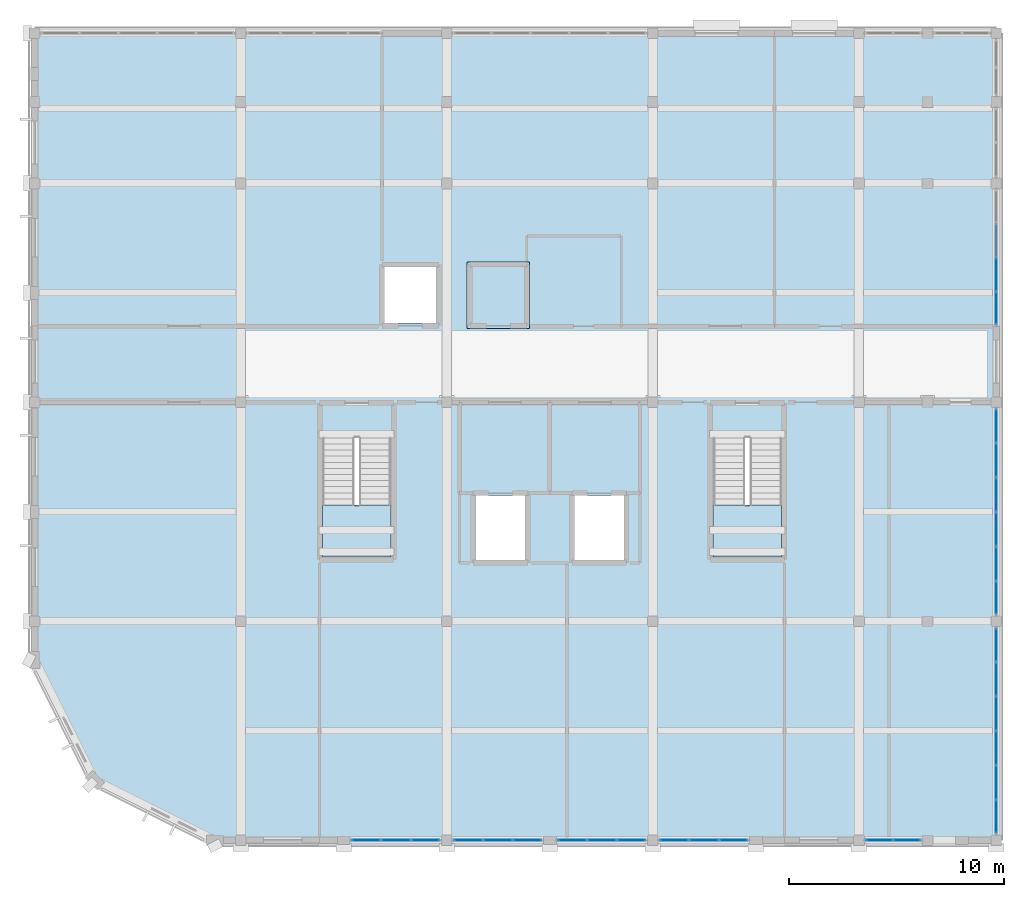
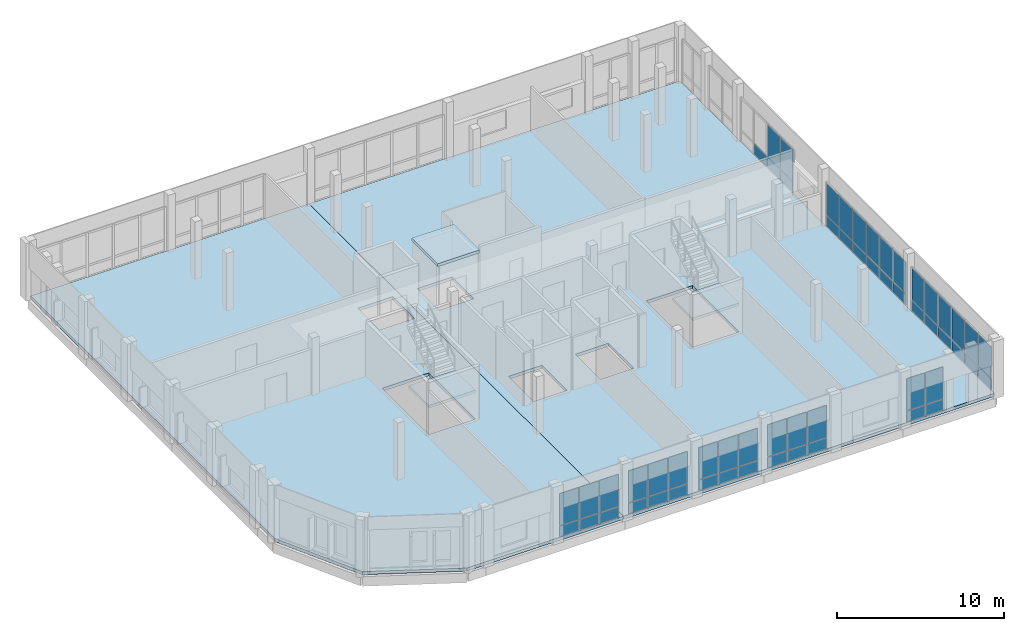
# One storey, part 19 of 29: 57 plates, 5 slabs, 10 elements without a shape of their own.
"""IFC4 building model written with IfcOpenShell, lengths in metres."""

from ifc_helpers import new_model, si_unit, direction, frame, origin, origin_2d, place, context, subcontext, project, spatial, polyline, rectangle, outline, extrude, material, layer, layer_set, type_object, element, aggregate, save


model = new_model("IFC4")

# Units and contexts
model_context = context("Model", 3, precision=1e-05, world=origin(), true_north=direction((0.0, 1.0)))
body_context = subcontext(model_context, "Body", "Model", "MODEL_VIEW")
ifc_project = project(units=[si_unit("LENGTHUNIT", "METRE"), si_unit("AREAUNIT", "SQUARE_METRE"), si_unit("VOLUMEUNIT", "CUBIC_METRE"), si_unit("PLANEANGLEUNIT", "RADIAN"), si_unit("MASSUNIT", "GRAM", prefix="KILO")], contexts=[model_context])

# Site, building, storey
site_placement = place(None, origin())
site = spatial("IfcSite", under=ifc_project, at=site_placement, CompositionType="ELEMENT")
building_placement = place(site_placement, origin())
building = spatial("IfcBuilding", under=site, at=building_placement, Name="Vondelvale Polytechnic", CompositionType="ELEMENT")
storey_placement = place(building_placement, frame((0.0, 0.0, 26.39990234375)))
storey = spatial("IfcBuildingStorey", under=building, at=storey_placement, Name="L06", CompositionType="ELEMENT", Elevation=26.39990234375)

# Curtain wall, plates
ifc_material_1 = material(Name="Anodised extruded aluminium 6063-T6", Category="aluminium")
curtain_wall_type_1 = type_object("IfcCurtainWallType", Name="CW-LIBRARY-BAY", PredefinedType="NOTDEFINED", material=ifc_material_1)
curtain_wall_1_placement = place(storey_placement, origin())
curtain_wall_1 = element("IfcCurtainWall", 1, at=curtain_wall_1_placement, inside=storey, type_object=curtain_wall_type_1, Name="L06 architectural curtain wall CW-02-043", PredefinedType="NOTDEFINED")
ifc_material_2 = material(Name="Double-glazed low-E insulated architectural glass", Category="glass")
ifc_layer_1 = layer(ifc_material_2, 0.028076171875)
ifc_layer_set_1 = layer_set([ifc_layer_1], Name="CW-PANEL-GLAZED")
plate_type_1 = type_object("IfcPlateType", Name="CW-PANEL-GLAZED", PredefinedType="CURTAIN_PANEL", material=ifc_layer_set_1)
plate_1_placement = place(storey_placement, frame((15.444580078125, 0.0, 0.880126953125), z_axis=(0.0, 0.0, 1.0), x_axis=(1.0, 0.0, 0.0)))
plate_1 = element("IfcPlate", 2, at=plate_1_placement, type_object=plate_type_1, Name="CW-02-043 panel 1.2", PredefinedType="CURTAIN_PANEL", context=body_context, shape_type="SweptSolid", body=[
    extrude(rectangle(XDim=1.299072265625, YDim=0.028076171875, at=origin_2d()), origin(), (0.0, 0.0, 1.0), 2.31005859375),
])
plate_2_placement = place(storey_placement, frame((16.824951171875, 0.0, 0.880126953125), z_axis=(0.0, 0.0, 1.0), x_axis=(1.0, 0.0, 0.0)))
plate_2 = element("IfcPlate", 3, at=plate_2_placement, type_object=plate_type_1, Name="CW-02-043 panel 2.2", PredefinedType="CURTAIN_PANEL", context=body_context, shape_type="SweptSolid", body=[
    extrude(rectangle(XDim=1.331787109375, YDim=0.028076171875, at=origin_2d()), origin(), (0.0, 0.0, 1.0), 2.31005859375),
])
plate_3_placement = place(storey_placement, frame((18.205322265625, 0.0, 0.880126953125), z_axis=(0.0, 0.0, 1.0), x_axis=(1.0, 0.0, 0.0)))
plate_3 = element("IfcPlate", 4, at=plate_3_placement, type_object=plate_type_1, Name="CW-02-043 panel 3.2", PredefinedType="CURTAIN_PANEL", context=body_context, shape_type="SweptSolid", body=[
    extrude(rectangle(XDim=1.299072265625, YDim=0.028076171875, at=origin_2d()), origin(), (0.0, 0.0, 1.0), 2.31005859375),
])

curtain_wall_2_placement = place(storey_placement, origin())
curtain_wall_2 = element("IfcCurtainWall", 5, at=curtain_wall_2_placement, inside=storey, type_object=curtain_wall_type_1, Name="L06 architectural curtain wall CW-02-044", PredefinedType="NOTDEFINED")
plate_4_placement = place(storey_placement, frame((20.194580078125, 0.0, 0.880126953125), z_axis=(0.0, 0.0, 1.0), x_axis=(1.0, 0.0, 0.0)))
plate_4 = element("IfcPlate", 6, at=plate_4_placement, type_object=plate_type_1, Name="CW-02-044 panel 1.2", PredefinedType="CURTAIN_PANEL", context=body_context, shape_type="SweptSolid", body=[
    extrude(rectangle(XDim=1.299072265625, YDim=0.028076171875, at=origin_2d()), origin(), (0.0, 0.0, 1.0), 2.31005859375),
])
plate_5_placement = place(storey_placement, frame((21.574951171875, 0.0, 0.880126953125), z_axis=(0.0, 0.0, 1.0), x_axis=(1.0, 0.0, 0.0)))
plate_5 = element("IfcPlate", 7, at=plate_5_placement, type_object=plate_type_1, Name="CW-02-044 panel 2.2", PredefinedType="CURTAIN_PANEL", context=body_context, shape_type="SweptSolid", body=[
    extrude(rectangle(XDim=1.331787109375, YDim=0.028076171875, at=origin_2d()), origin(), (0.0, 0.0, 1.0), 2.31005859375),
])
plate_6_placement = place(storey_placement, frame((22.955322265625, 0.0, 0.880126953125), z_axis=(0.0, 0.0, 1.0), x_axis=(1.0, 0.0, 0.0)))
plate_6 = element("IfcPlate", 8, at=plate_6_placement, type_object=plate_type_1, Name="CW-02-044 panel 3.2", PredefinedType="CURTAIN_PANEL", context=body_context, shape_type="SweptSolid", body=[
    extrude(rectangle(XDim=1.299072265625, YDim=0.028076171875, at=origin_2d()), origin(), (0.0, 0.0, 1.0), 2.31005859375),
])

curtain_wall_3_placement = place(storey_placement, origin())
curtain_wall_3 = element("IfcCurtainWall", 9, at=curtain_wall_3_placement, inside=storey, type_object=curtain_wall_type_1, Name="L06 architectural curtain wall CW-02-045", PredefinedType="NOTDEFINED")
plate_7_placement = place(storey_placement, frame((25.044677734375, 0.0, 0.880126953125), z_axis=(0.0, 0.0, 1.0), x_axis=(1.0, 0.0, 0.0)))
plate_7 = element("IfcPlate", 10, at=plate_7_placement, type_object=plate_type_1, Name="CW-02-045 panel 1.2", PredefinedType="CURTAIN_PANEL", context=body_context, shape_type="SweptSolid", body=[
    extrude(rectangle(XDim=1.299072265625, YDim=0.028076171875, at=origin_2d()), origin(), (0.0, 0.0, 1.0), 2.31005859375),
])
plate_8_placement = place(storey_placement, frame((26.425048828125, 0.0, 0.880126953125), z_axis=(0.0, 0.0, 1.0), x_axis=(1.0, 0.0, 0.0)))
plate_8 = element("IfcPlate", 11, at=plate_8_placement, type_object=plate_type_1, Name="CW-02-045 panel 2.2", PredefinedType="CURTAIN_PANEL", context=body_context, shape_type="SweptSolid", body=[
    extrude(rectangle(XDim=1.331787109375, YDim=0.028076171875, at=origin_2d()), origin(), (0.0, 0.0, 1.0), 2.31005859375),
])
plate_9_placement = place(storey_placement, frame((27.805419921875, 0.0, 0.880126953125), z_axis=(0.0, 0.0, 1.0), x_axis=(1.0, 0.0, 0.0)))
plate_9 = element("IfcPlate", 12, at=plate_9_placement, type_object=plate_type_1, Name="CW-02-045 panel 3.2", PredefinedType="CURTAIN_PANEL", context=body_context, shape_type="SweptSolid", body=[
    extrude(rectangle(XDim=1.299072265625, YDim=0.028076171875, at=origin_2d()), origin(), (0.0, 0.0, 1.0), 2.31005859375),
])

curtain_wall_4_placement = place(storey_placement, origin())
curtain_wall_4 = element("IfcCurtainWall", 13, at=curtain_wall_4_placement, inside=storey, type_object=curtain_wall_type_1, Name="L06 architectural curtain wall CW-02-046", PredefinedType="NOTDEFINED")
plate_10_placement = place(storey_placement, frame((29.794677734375, 0.0, 0.880126953125), z_axis=(0.0, 0.0, 1.0), x_axis=(1.0, 0.0, 0.0)))
plate_10 = element("IfcPlate", 14, at=plate_10_placement, type_object=plate_type_1, Name="CW-02-046 panel 1.2", PredefinedType="CURTAIN_PANEL", context=body_context, shape_type="SweptSolid", body=[
    extrude(rectangle(XDim=1.299072265625, YDim=0.028076171875, at=origin_2d()), origin(), (0.0, 0.0, 1.0), 2.31005859375),
])
plate_11_placement = place(storey_placement, frame((31.175048828125, 0.0, 0.880126953125), z_axis=(0.0, 0.0, 1.0), x_axis=(1.0, 0.0, 0.0)))
plate_11 = element("IfcPlate", 15, at=plate_11_placement, type_object=plate_type_1, Name="CW-02-046 panel 2.2", PredefinedType="CURTAIN_PANEL", context=body_context, shape_type="SweptSolid", body=[
    extrude(rectangle(XDim=1.331787109375, YDim=0.028076171875, at=origin_2d()), origin(), (0.0, 0.0, 1.0), 2.31005859375),
])
plate_12_placement = place(storey_placement, frame((32.555419921875, 0.0, 0.880126953125), z_axis=(0.0, 0.0, 1.0), x_axis=(1.0, 0.0, 0.0)))
plate_12 = element("IfcPlate", 16, at=plate_12_placement, type_object=plate_type_1, Name="CW-02-046 panel 3.2", PredefinedType="CURTAIN_PANEL", context=body_context, shape_type="SweptSolid", body=[
    extrude(rectangle(XDim=1.299072265625, YDim=0.028076171875, at=origin_2d()), origin(), (0.0, 0.0, 1.0), 2.31005859375),
])

curtain_wall_5_placement = place(storey_placement, origin())
curtain_wall_5 = element("IfcCurtainWall", 17, at=curtain_wall_5_placement, inside=storey, type_object=curtain_wall_type_1, Name="L06 architectural curtain wall CW-02-047", PredefinedType="NOTDEFINED")
plate_13_placement = place(storey_placement, frame((39.356201171875, 0.0, 0.880126953125), z_axis=(0.0, 0.0, 1.0), x_axis=(1.0, 0.0, 0.0)))
plate_13 = element("IfcPlate", 18, at=plate_13_placement, type_object=plate_type_1, Name="CW-02-047 panel 1.2", PredefinedType="CURTAIN_PANEL", context=body_context, shape_type="SweptSolid", body=[
    extrude(rectangle(XDim=1.222412109375, YDim=0.028076171875, at=origin_2d()), origin(), (0.0, 0.0, 1.0), 2.31005859375),
])
plate_14_placement = place(storey_placement, frame((40.643798828125, 0.0, 0.880126953125), z_axis=(0.0, 0.0, 1.0), x_axis=(1.0, 0.0, 0.0)))
plate_14 = element("IfcPlate", 19, at=plate_14_placement, type_object=plate_type_1, Name="CW-02-047 panel 2.2", PredefinedType="CURTAIN_PANEL", context=body_context, shape_type="SweptSolid", body=[
    extrude(rectangle(XDim=1.222412109375, YDim=0.028076171875, at=origin_2d()), origin(), (0.0, 0.0, 1.0), 2.31005859375),
])

curtain_wall_type_2 = type_object("IfcCurtainWallType", Name="CW-STUDIO-NORTH", PredefinedType="NOTDEFINED", material=ifc_material_1)
curtain_wall_6_placement = place(storey_placement, origin())
curtain_wall_6 = element("IfcCurtainWall", 20, at=curtain_wall_6_placement, inside=storey, type_object=curtain_wall_type_2, Name="L06 architectural curtain wall CW-01-048", PredefinedType="NOTDEFINED")
plate_15_placement = place(storey_placement, frame((44.800048828125, 1.099609375, 0.880126953125), z_axis=(0.0, 0.0, 1.0), x_axis=(0.0, 1.0, 0.0)))
plate_15 = element("IfcPlate", 21, at=plate_15_placement, type_object=plate_type_1, Name="CW-01-048 panel 1.2", PredefinedType="CURTAIN_PANEL", context=body_context, shape_type="SweptSolid", body=[
    extrude(rectangle(XDim=1.50927734375, YDim=0.028076171875, at=origin_2d()), origin(), (0.0, 0.0, 1.0), 2.31005859375),
])
plate_16_placement = place(storey_placement, frame((44.800048828125, 2.68994140625, 0.880126953125), z_axis=(0.0, 0.0, 1.0), x_axis=(0.0, 1.0, 0.0)))
plate_16 = element("IfcPlate", 22, at=plate_16_placement, type_object=plate_type_1, Name="CW-01-048 panel 2.2", PredefinedType="CURTAIN_PANEL", context=body_context, shape_type="SweptSolid", body=[
    extrude(rectangle(XDim=1.541748046875, YDim=0.028076171875, at=origin_2d()), origin(), (0.0, 0.0, 1.0), 2.31005859375),
])
plate_17_placement = place(storey_placement, frame((44.800048828125, 4.296630859375, 0.880126953125), z_axis=(0.0, 0.0, 1.0), x_axis=(0.0, 1.0, 0.0)))
plate_17 = element("IfcPlate", 23, at=plate_17_placement, type_object=plate_type_1, Name="CW-01-048 panel 3.2", PredefinedType="CURTAIN_PANEL", context=body_context, shape_type="SweptSolid", body=[
    extrude(rectangle(XDim=1.541748046875, YDim=0.028076171875, at=origin_2d()), origin(), (0.0, 0.0, 1.0), 2.31005859375),
])
plate_18_placement = place(storey_placement, frame((44.800048828125, 5.9033203125, 0.880126953125), z_axis=(0.0, 0.0, 1.0), x_axis=(0.0, 1.0, 0.0)))
plate_18 = element("IfcPlate", 24, at=plate_18_placement, type_object=plate_type_1, Name="CW-01-048 panel 4.2", PredefinedType="CURTAIN_PANEL", context=body_context, shape_type="SweptSolid", body=[
    extrude(rectangle(XDim=1.541748046875, YDim=0.028076171875, at=origin_2d()), origin(), (0.0, 0.0, 1.0), 2.31005859375),
])
plate_19_placement = place(storey_placement, frame((44.800048828125, 7.510009765625, 0.880126953125), z_axis=(0.0, 0.0, 1.0), x_axis=(0.0, 1.0, 0.0)))
plate_19 = element("IfcPlate", 25, at=plate_19_placement, type_object=plate_type_1, Name="CW-01-048 panel 5.2", PredefinedType="CURTAIN_PANEL", context=body_context, shape_type="SweptSolid", body=[
    extrude(rectangle(XDim=1.541748046875, YDim=0.028076171875, at=origin_2d()), origin(), (0.0, 0.0, 1.0), 2.31005859375),
])
plate_20_placement = place(storey_placement, frame((44.800048828125, 9.100341796875, 0.880126953125), z_axis=(0.0, 0.0, 1.0), x_axis=(0.0, 1.0, 0.0)))
plate_20 = element("IfcPlate", 26, at=plate_20_placement, type_object=plate_type_1, Name="CW-01-048 panel 6.2", PredefinedType="CURTAIN_PANEL", context=body_context, shape_type="SweptSolid", body=[
    extrude(rectangle(XDim=1.50927734375, YDim=0.028076171875, at=origin_2d()), origin(), (0.0, 0.0, 1.0), 2.31005859375),
])

curtain_wall_7_placement = place(storey_placement, origin())
curtain_wall_7 = element("IfcCurtainWall", 27, at=curtain_wall_7_placement, inside=storey, type_object=curtain_wall_type_2, Name="L06 architectural curtain wall CW-01-049", PredefinedType="NOTDEFINED")
plate_21_placement = place(storey_placement, frame((44.800048828125, 11.299560546875, 0.880126953125), z_axis=(0.0, 0.0, 1.0), x_axis=(0.0, 1.0, 0.0)))
plate_21 = element("IfcPlate", 28, at=plate_21_placement, type_object=plate_type_1, Name="CW-01-049 panel 1.2", PredefinedType="CURTAIN_PANEL", context=body_context, shape_type="SweptSolid", body=[
    extrude(rectangle(XDim=1.50927734375, YDim=0.028076171875, at=origin_2d()), origin(), (0.0, 0.0, 1.0), 2.31005859375),
])
plate_22_placement = place(storey_placement, frame((44.800048828125, 12.889892578125, 0.880126953125), z_axis=(0.0, 0.0, 1.0), x_axis=(0.0, 1.0, 0.0)))
plate_22 = element("IfcPlate", 29, at=plate_22_placement, type_object=plate_type_1, Name="CW-01-049 panel 2.2", PredefinedType="CURTAIN_PANEL", context=body_context, shape_type="SweptSolid", body=[
    extrude(rectangle(XDim=1.541748046875, YDim=0.028076171875, at=origin_2d()), origin(), (0.0, 0.0, 1.0), 2.31005859375),
])
plate_23_placement = place(storey_placement, frame((44.800048828125, 14.49658203125, 0.880126953125), z_axis=(0.0, 0.0, 1.0), x_axis=(0.0, 1.0, 0.0)))
plate_23 = element("IfcPlate", 30, at=plate_23_placement, type_object=plate_type_1, Name="CW-01-049 panel 3.2", PredefinedType="CURTAIN_PANEL", context=body_context, shape_type="SweptSolid", body=[
    extrude(rectangle(XDim=1.541748046875, YDim=0.028076171875, at=origin_2d()), origin(), (0.0, 0.0, 1.0), 2.31005859375),
])
plate_24_placement = place(storey_placement, frame((44.800048828125, 16.103271484375, 0.880126953125), z_axis=(0.0, 0.0, 1.0), x_axis=(0.0, 1.0, 0.0)))
plate_24 = element("IfcPlate", 31, at=plate_24_placement, type_object=plate_type_1, Name="CW-01-049 panel 4.2", PredefinedType="CURTAIN_PANEL", context=body_context, shape_type="SweptSolid", body=[
    extrude(rectangle(XDim=1.541748046875, YDim=0.028076171875, at=origin_2d()), origin(), (0.0, 0.0, 1.0), 2.31005859375),
])
plate_25_placement = place(storey_placement, frame((44.800048828125, 17.7099609375, 0.880126953125), z_axis=(0.0, 0.0, 1.0), x_axis=(0.0, 1.0, 0.0)))
plate_25 = element("IfcPlate", 32, at=plate_25_placement, type_object=plate_type_1, Name="CW-01-049 panel 5.2", PredefinedType="CURTAIN_PANEL", context=body_context, shape_type="SweptSolid", body=[
    extrude(rectangle(XDim=1.541748046875, YDim=0.028076171875, at=origin_2d()), origin(), (0.0, 0.0, 1.0), 2.31005859375),
])
plate_26_placement = place(storey_placement, frame((44.800048828125, 19.300537109375, 0.880126953125), z_axis=(0.0, 0.0, 1.0), x_axis=(0.0, 1.0, 0.0)))
plate_26 = element("IfcPlate", 33, at=plate_26_placement, type_object=plate_type_1, Name="CW-01-049 panel 6.2", PredefinedType="CURTAIN_PANEL", context=body_context, shape_type="SweptSolid", body=[
    extrude(rectangle(XDim=1.50927734375, YDim=0.028076171875, at=origin_2d()), origin(), (0.0, 0.0, 1.0), 2.31005859375),
])

curtain_wall_8_placement = place(storey_placement, origin())
curtain_wall_8 = element("IfcCurtainWall", 34, at=curtain_wall_8_placement, inside=storey, type_object=curtain_wall_type_2, Name="L06 architectural curtain wall CW-01-050", PredefinedType="NOTDEFINED")
plate_27_placement = place(storey_placement, frame((44.800048828125, 24.775634765625, 0.880126953125), z_axis=(0.0, 0.0, 1.0), x_axis=(0.0, 1.0, 0.0)))
plate_27 = element("IfcPlate", 35, at=plate_27_placement, type_object=plate_type_1, Name="CW-01-050 panel 1.2", PredefinedType="CURTAIN_PANEL", context=body_context, shape_type="SweptSolid", body=[
    extrude(rectangle(XDim=1.4912109375, YDim=0.028076171875, at=origin_2d()), origin(), (0.0, 0.0, 1.0), 2.31005859375),
])
plate_28_placement = place(storey_placement, frame((44.800048828125, 26.34814453125, 0.880126953125), z_axis=(0.0, 0.0, 1.0), x_axis=(0.0, 1.0, 0.0)))
plate_28 = element("IfcPlate", 36, at=plate_28_placement, type_object=plate_type_1, Name="CW-01-050 panel 2.2", PredefinedType="CURTAIN_PANEL", context=body_context, shape_type="SweptSolid", body=[
    extrude(rectangle(XDim=1.523681640625, YDim=0.028076171875, at=origin_2d()), origin(), (0.0, 0.0, 1.0), 2.31005859375),
])

# Plate
ifc_material_3 = material(Name="Kiln-fired architectural terracotta", Category="masonry")
ifc_layer_2 = layer(ifc_material_3, 0.035888671875)
ifc_layer_set_2 = layer_set([ifc_layer_2], Name="CW-PANEL-SPANDREL")
plate_type_2 = type_object("IfcPlateType", Name="CW-PANEL-SPANDREL", PredefinedType="CURTAIN_PANEL", material=ifc_layer_set_2)
plate_29_placement = place(storey_placement, frame((15.444580078125, 0.0, 0.06005859375), z_axis=(0.0, 0.0, 1.0), x_axis=(1.0, 0.0, 0.0)))
plate_29 = element("IfcPlate", 37, at=plate_29_placement, type_object=plate_type_2, Name="CW-02-043 panel 1.1", PredefinedType="CURTAIN_PANEL", context=body_context, shape_type="SweptSolid", body=[
    extrude(rectangle(XDim=1.299072265625, YDim=0.035888671875, at=origin_2d()), origin(), (0.0, 0.0, 1.0), 0.760009765625),
])

plate_30_placement = place(storey_placement, frame((16.824951171875, 0.0, 0.06005859375), z_axis=(0.0, 0.0, 1.0), x_axis=(1.0, 0.0, 0.0)))
plate_30 = element("IfcPlate", 38, at=plate_30_placement, type_object=plate_type_2, Name="CW-02-043 panel 2.1", PredefinedType="CURTAIN_PANEL", context=body_context, shape_type="SweptSolid", body=[
    extrude(rectangle(XDim=1.331787109375, YDim=0.035888671875, at=origin_2d()), origin(), (0.0, 0.0, 1.0), 0.760009765625),
])

plate_31_placement = place(storey_placement, frame((18.205322265625, 0.0, 0.06005859375), z_axis=(0.0, 0.0, 1.0), x_axis=(1.0, 0.0, 0.0)))
plate_31 = element("IfcPlate", 39, at=plate_31_placement, type_object=plate_type_2, Name="CW-02-043 panel 3.1", PredefinedType="CURTAIN_PANEL", context=body_context, shape_type="SweptSolid", body=[
    extrude(rectangle(XDim=1.299072265625, YDim=0.035888671875, at=origin_2d()), origin(), (0.0, 0.0, 1.0), 0.760009765625),
])

aggregate(curtain_wall_1, [plate_29, plate_1, plate_30, plate_2, plate_31, plate_3])

plate_32_placement = place(storey_placement, frame((20.194580078125, 0.0, 0.06005859375), z_axis=(0.0, 0.0, 1.0), x_axis=(1.0, 0.0, 0.0)))
plate_32 = element("IfcPlate", 40, at=plate_32_placement, type_object=plate_type_2, Name="CW-02-044 panel 1.1", PredefinedType="CURTAIN_PANEL", context=body_context, shape_type="SweptSolid", body=[
    extrude(rectangle(XDim=1.299072265625, YDim=0.035888671875, at=origin_2d()), origin(), (0.0, 0.0, 1.0), 0.760009765625),
])

plate_33_placement = place(storey_placement, frame((21.574951171875, 0.0, 0.06005859375), z_axis=(0.0, 0.0, 1.0), x_axis=(1.0, 0.0, 0.0)))
plate_33 = element("IfcPlate", 41, at=plate_33_placement, type_object=plate_type_2, Name="CW-02-044 panel 2.1", PredefinedType="CURTAIN_PANEL", context=body_context, shape_type="SweptSolid", body=[
    extrude(rectangle(XDim=1.331787109375, YDim=0.035888671875, at=origin_2d()), origin(), (0.0, 0.0, 1.0), 0.760009765625),
])

plate_34_placement = place(storey_placement, frame((22.955322265625, 0.0, 0.06005859375), z_axis=(0.0, 0.0, 1.0), x_axis=(1.0, 0.0, 0.0)))
plate_34 = element("IfcPlate", 42, at=plate_34_placement, type_object=plate_type_2, Name="CW-02-044 panel 3.1", PredefinedType="CURTAIN_PANEL", context=body_context, shape_type="SweptSolid", body=[
    extrude(rectangle(XDim=1.299072265625, YDim=0.035888671875, at=origin_2d()), origin(), (0.0, 0.0, 1.0), 0.760009765625),
])

aggregate(curtain_wall_2, [plate_32, plate_4, plate_33, plate_5, plate_34, plate_6])

plate_35_placement = place(storey_placement, frame((25.044677734375, 0.0, 0.06005859375), z_axis=(0.0, 0.0, 1.0), x_axis=(1.0, 0.0, 0.0)))
plate_35 = element("IfcPlate", 43, at=plate_35_placement, type_object=plate_type_2, Name="CW-02-045 panel 1.1", PredefinedType="CURTAIN_PANEL", context=body_context, shape_type="SweptSolid", body=[
    extrude(rectangle(XDim=1.299072265625, YDim=0.035888671875, at=origin_2d()), origin(), (0.0, 0.0, 1.0), 0.760009765625),
])

plate_36_placement = place(storey_placement, frame((26.425048828125, 0.0, 0.06005859375), z_axis=(0.0, 0.0, 1.0), x_axis=(1.0, 0.0, 0.0)))
plate_36 = element("IfcPlate", 44, at=plate_36_placement, type_object=plate_type_2, Name="CW-02-045 panel 2.1", PredefinedType="CURTAIN_PANEL", context=body_context, shape_type="SweptSolid", body=[
    extrude(rectangle(XDim=1.331787109375, YDim=0.035888671875, at=origin_2d()), origin(), (0.0, 0.0, 1.0), 0.760009765625),
])

plate_37_placement = place(storey_placement, frame((27.805419921875, 0.0, 0.06005859375), z_axis=(0.0, 0.0, 1.0), x_axis=(1.0, 0.0, 0.0)))
plate_37 = element("IfcPlate", 45, at=plate_37_placement, type_object=plate_type_2, Name="CW-02-045 panel 3.1", PredefinedType="CURTAIN_PANEL", context=body_context, shape_type="SweptSolid", body=[
    extrude(rectangle(XDim=1.299072265625, YDim=0.035888671875, at=origin_2d()), origin(), (0.0, 0.0, 1.0), 0.760009765625),
])

aggregate(curtain_wall_3, [plate_35, plate_7, plate_36, plate_8, plate_37, plate_9])

plate_38_placement = place(storey_placement, frame((29.794677734375, 0.0, 0.06005859375), z_axis=(0.0, 0.0, 1.0), x_axis=(1.0, 0.0, 0.0)))
plate_38 = element("IfcPlate", 46, at=plate_38_placement, type_object=plate_type_2, Name="CW-02-046 panel 1.1", PredefinedType="CURTAIN_PANEL", context=body_context, shape_type="SweptSolid", body=[
    extrude(rectangle(XDim=1.299072265625, YDim=0.035888671875, at=origin_2d()), origin(), (0.0, 0.0, 1.0), 0.760009765625),
])

plate_39_placement = place(storey_placement, frame((31.175048828125, 0.0, 0.06005859375), z_axis=(0.0, 0.0, 1.0), x_axis=(1.0, 0.0, 0.0)))
plate_39 = element("IfcPlate", 47, at=plate_39_placement, type_object=plate_type_2, Name="CW-02-046 panel 2.1", PredefinedType="CURTAIN_PANEL", context=body_context, shape_type="SweptSolid", body=[
    extrude(rectangle(XDim=1.331787109375, YDim=0.035888671875, at=origin_2d()), origin(), (0.0, 0.0, 1.0), 0.760009765625),
])

plate_40_placement = place(storey_placement, frame((32.555419921875, 0.0, 0.06005859375), z_axis=(0.0, 0.0, 1.0), x_axis=(1.0, 0.0, 0.0)))
plate_40 = element("IfcPlate", 48, at=plate_40_placement, type_object=plate_type_2, Name="CW-02-046 panel 3.1", PredefinedType="CURTAIN_PANEL", context=body_context, shape_type="SweptSolid", body=[
    extrude(rectangle(XDim=1.299072265625, YDim=0.035888671875, at=origin_2d()), origin(), (0.0, 0.0, 1.0), 0.760009765625),
])

aggregate(curtain_wall_4, [plate_38, plate_10, plate_39, plate_11, plate_40, plate_12])

plate_41_placement = place(storey_placement, frame((39.356201171875, 0.0, 0.06005859375), z_axis=(0.0, 0.0, 1.0), x_axis=(1.0, 0.0, 0.0)))
plate_41 = element("IfcPlate", 49, at=plate_41_placement, type_object=plate_type_2, Name="CW-02-047 panel 1.1", PredefinedType="CURTAIN_PANEL", context=body_context, shape_type="SweptSolid", body=[
    extrude(rectangle(XDim=1.222412109375, YDim=0.035888671875, at=origin_2d()), origin(), (0.0, 0.0, 1.0), 0.760009765625),
])

plate_42_placement = place(storey_placement, frame((40.643798828125, 0.0, 0.06005859375), z_axis=(0.0, 0.0, 1.0), x_axis=(1.0, 0.0, 0.0)))
plate_42 = element("IfcPlate", 50, at=plate_42_placement, type_object=plate_type_2, Name="CW-02-047 panel 2.1", PredefinedType="CURTAIN_PANEL", context=body_context, shape_type="SweptSolid", body=[
    extrude(rectangle(XDim=1.222412109375, YDim=0.035888671875, at=origin_2d()), origin(), (0.0, 0.0, 1.0), 0.760009765625),
])

aggregate(curtain_wall_5, [plate_41, plate_13, plate_42, plate_14])

plate_43_placement = place(storey_placement, frame((44.800048828125, 1.099609375, 0.06005859375), z_axis=(0.0, 0.0, 1.0), x_axis=(0.0, 1.0, 0.0)))
plate_43 = element("IfcPlate", 51, at=plate_43_placement, type_object=plate_type_2, Name="CW-01-048 panel 1.1", PredefinedType="CURTAIN_PANEL", context=body_context, shape_type="SweptSolid", body=[
    extrude(rectangle(XDim=1.50927734375, YDim=0.035888671875, at=origin_2d()), origin(), (0.0, 0.0, 1.0), 0.760009765625),
])

plate_44_placement = place(storey_placement, frame((44.800048828125, 2.68994140625, 0.06005859375), z_axis=(0.0, 0.0, 1.0), x_axis=(0.0, 1.0, 0.0)))
plate_44 = element("IfcPlate", 52, at=plate_44_placement, type_object=plate_type_2, Name="CW-01-048 panel 2.1", PredefinedType="CURTAIN_PANEL", context=body_context, shape_type="SweptSolid", body=[
    extrude(rectangle(XDim=1.541748046875, YDim=0.035888671875, at=origin_2d()), origin(), (0.0, 0.0, 1.0), 0.760009765625),
])

plate_45_placement = place(storey_placement, frame((44.800048828125, 4.296630859375, 0.06005859375), z_axis=(0.0, 0.0, 1.0), x_axis=(0.0, 1.0, 0.0)))
plate_45 = element("IfcPlate", 53, at=plate_45_placement, type_object=plate_type_2, Name="CW-01-048 panel 3.1", PredefinedType="CURTAIN_PANEL", context=body_context, shape_type="SweptSolid", body=[
    extrude(rectangle(XDim=1.541748046875, YDim=0.035888671875, at=origin_2d()), origin(), (0.0, 0.0, 1.0), 0.760009765625),
])

plate_46_placement = place(storey_placement, frame((44.800048828125, 5.9033203125, 0.06005859375), z_axis=(0.0, 0.0, 1.0), x_axis=(0.0, 1.0, 0.0)))
plate_46 = element("IfcPlate", 54, at=plate_46_placement, type_object=plate_type_2, Name="CW-01-048 panel 4.1", PredefinedType="CURTAIN_PANEL", context=body_context, shape_type="SweptSolid", body=[
    extrude(rectangle(XDim=1.541748046875, YDim=0.035888671875, at=origin_2d()), origin(), (0.0, 0.0, 1.0), 0.760009765625),
])

plate_47_placement = place(storey_placement, frame((44.800048828125, 7.510009765625, 0.06005859375), z_axis=(0.0, 0.0, 1.0), x_axis=(0.0, 1.0, 0.0)))
plate_47 = element("IfcPlate", 55, at=plate_47_placement, type_object=plate_type_2, Name="CW-01-048 panel 5.1", PredefinedType="CURTAIN_PANEL", context=body_context, shape_type="SweptSolid", body=[
    extrude(rectangle(XDim=1.541748046875, YDim=0.035888671875, at=origin_2d()), origin(), (0.0, 0.0, 1.0), 0.760009765625),
])

plate_48_placement = place(storey_placement, frame((44.800048828125, 9.100341796875, 0.06005859375), z_axis=(0.0, 0.0, 1.0), x_axis=(0.0, 1.0, 0.0)))
plate_48 = element("IfcPlate", 56, at=plate_48_placement, type_object=plate_type_2, Name="CW-01-048 panel 6.1", PredefinedType="CURTAIN_PANEL", context=body_context, shape_type="SweptSolid", body=[
    extrude(rectangle(XDim=1.50927734375, YDim=0.035888671875, at=origin_2d()), origin(), (0.0, 0.0, 1.0), 0.760009765625),
])

aggregate(curtain_wall_6, [plate_43, plate_15, plate_44, plate_16, plate_45, plate_17, plate_46, plate_18, plate_47, plate_19, plate_48, plate_20])

plate_49_placement = place(storey_placement, frame((44.800048828125, 11.299560546875, 0.06005859375), z_axis=(0.0, 0.0, 1.0), x_axis=(0.0, 1.0, 0.0)))
plate_49 = element("IfcPlate", 57, at=plate_49_placement, type_object=plate_type_2, Name="CW-01-049 panel 1.1", PredefinedType="CURTAIN_PANEL", context=body_context, shape_type="SweptSolid", body=[
    extrude(rectangle(XDim=1.50927734375, YDim=0.035888671875, at=origin_2d()), origin(), (0.0, 0.0, 1.0), 0.760009765625),
])

plate_50_placement = place(storey_placement, frame((44.800048828125, 12.889892578125, 0.06005859375), z_axis=(0.0, 0.0, 1.0), x_axis=(0.0, 1.0, 0.0)))
plate_50 = element("IfcPlate", 58, at=plate_50_placement, type_object=plate_type_2, Name="CW-01-049 panel 2.1", PredefinedType="CURTAIN_PANEL", context=body_context, shape_type="SweptSolid", body=[
    extrude(rectangle(XDim=1.541748046875, YDim=0.035888671875, at=origin_2d()), origin(), (0.0, 0.0, 1.0), 0.760009765625),
])

plate_51_placement = place(storey_placement, frame((44.800048828125, 14.49658203125, 0.06005859375), z_axis=(0.0, 0.0, 1.0), x_axis=(0.0, 1.0, 0.0)))
plate_51 = element("IfcPlate", 59, at=plate_51_placement, type_object=plate_type_2, Name="CW-01-049 panel 3.1", PredefinedType="CURTAIN_PANEL", context=body_context, shape_type="SweptSolid", body=[
    extrude(rectangle(XDim=1.541748046875, YDim=0.035888671875, at=origin_2d()), origin(), (0.0, 0.0, 1.0), 0.760009765625),
])

plate_52_placement = place(storey_placement, frame((44.800048828125, 16.103271484375, 0.06005859375), z_axis=(0.0, 0.0, 1.0), x_axis=(0.0, 1.0, 0.0)))
plate_52 = element("IfcPlate", 60, at=plate_52_placement, type_object=plate_type_2, Name="CW-01-049 panel 4.1", PredefinedType="CURTAIN_PANEL", context=body_context, shape_type="SweptSolid", body=[
    extrude(rectangle(XDim=1.541748046875, YDim=0.035888671875, at=origin_2d()), origin(), (0.0, 0.0, 1.0), 0.760009765625),
])

plate_53_placement = place(storey_placement, frame((44.800048828125, 17.7099609375, 0.06005859375), z_axis=(0.0, 0.0, 1.0), x_axis=(0.0, 1.0, 0.0)))
plate_53 = element("IfcPlate", 61, at=plate_53_placement, type_object=plate_type_2, Name="CW-01-049 panel 5.1", PredefinedType="CURTAIN_PANEL", context=body_context, shape_type="SweptSolid", body=[
    extrude(rectangle(XDim=1.541748046875, YDim=0.035888671875, at=origin_2d()), origin(), (0.0, 0.0, 1.0), 0.760009765625),
])

plate_54_placement = place(storey_placement, frame((44.800048828125, 19.300537109375, 0.06005859375), z_axis=(0.0, 0.0, 1.0), x_axis=(0.0, 1.0, 0.0)))
plate_54 = element("IfcPlate", 62, at=plate_54_placement, type_object=plate_type_2, Name="CW-01-049 panel 6.1", PredefinedType="CURTAIN_PANEL", context=body_context, shape_type="SweptSolid", body=[
    extrude(rectangle(XDim=1.50927734375, YDim=0.035888671875, at=origin_2d()), origin(), (0.0, 0.0, 1.0), 0.760009765625),
])

aggregate(curtain_wall_7, [plate_49, plate_21, plate_50, plate_22, plate_51, plate_23, plate_52, plate_24, plate_53, plate_25, plate_54, plate_26])

plate_55_placement = place(storey_placement, frame((44.800048828125, 24.775634765625, 0.06005859375), z_axis=(0.0, 0.0, 1.0), x_axis=(0.0, 1.0, 0.0)))
plate_55 = element("IfcPlate", 63, at=plate_55_placement, type_object=plate_type_2, Name="CW-01-050 panel 1.1", PredefinedType="CURTAIN_PANEL", context=body_context, shape_type="SweptSolid", body=[
    extrude(rectangle(XDim=1.4912109375, YDim=0.035888671875, at=origin_2d()), origin(), (0.0, 0.0, 1.0), 0.760009765625),
])

plate_56_placement = place(storey_placement, frame((44.800048828125, 26.34814453125, 0.06005859375), z_axis=(0.0, 0.0, 1.0), x_axis=(0.0, 1.0, 0.0)))
plate_56 = element("IfcPlate", 64, at=plate_56_placement, type_object=plate_type_2, Name="CW-01-050 panel 2.1", PredefinedType="CURTAIN_PANEL", context=body_context, shape_type="SweptSolid", body=[
    extrude(rectangle(XDim=1.523681640625, YDim=0.035888671875, at=origin_2d()), origin(), (0.0, 0.0, 1.0), 0.760009765625),
])

plate_57_placement = place(storey_placement, frame((44.800048828125, 27.936767578125, 0.06005859375), z_axis=(0.0, 0.0, 1.0), x_axis=(0.0, 1.0, 0.0)))
plate_57 = element("IfcPlate", 65, at=plate_57_placement, type_object=plate_type_2, Name="CW-01-050 panel 3.1", PredefinedType="CURTAIN_PANEL", context=body_context, shape_type="SweptSolid", body=[
    extrude(rectangle(XDim=1.523681640625, YDim=0.035888671875, at=origin_2d()), origin(), (0.0, 0.0, 1.0), 0.760009765625),
])

aggregate(curtain_wall_8, [plate_55, plate_27, plate_56, plate_28, plate_57])

# Stair, slab
ifc_material_4 = material(Name="Concrete N40 (f'c = 40 MPa)", Category="concrete")
stair_type = type_object("IfcStairType", Name="STR-DOG-1500", PredefinedType="HALF_TURN_STAIR", material=ifc_material_4)
stair_1_placement = place(storey_placement, origin())
stair_1 = element("IfcStair", 66, at=stair_1_placement, inside=storey, type_object=stair_type, Name="L06 ST-03", PredefinedType="HALF_TURN_STAIR")
ifc_layer_3 = layer(ifc_material_4, 0.199951171875)
ifc_layer_set_3 = layer_set([ifc_layer_3], Name="SLB-LANDING-200")
slab_type_1 = type_object("IfcSlabType", Name="SLB-LANDING-200", PredefinedType="LANDING", material=ifc_layer_set_3)
slab_1_placement = place(storey_placement, frame((0.0, 0.0, 1.900146484375)))
slab_1 = element("IfcSlab", 67, at=slab_1_placement, type_object=slab_type_1, Name="ST-03 landing 1", PredefinedType="LANDING", context=body_context, shape_type="SweptSolid", body=[
    extrude(outline(polyline([(13.39990234375, 15.614990234375), (13.39990234375, 13.199951171875), (16.60009765625, 13.199951171875), (16.60009765625, 15.614990234375), (13.39990234375, 15.614990234375)])), origin(), (0.0, 0.0, 1.0), 0.199951171875),
])
aggregate(stair_1, [slab_1])

stair_2_placement = place(storey_placement, origin())
stair_2 = element("IfcStair", 68, at=stair_2_placement, inside=storey, type_object=stair_type, Name="L06 ST-04", PredefinedType="HALF_TURN_STAIR")
slab_2_placement = place(storey_placement, frame((0.0, 0.0, 1.900146484375)))
slab_2 = element("IfcSlab", 69, at=slab_2_placement, type_object=slab_type_1, Name="ST-04 landing 1", PredefinedType="LANDING", context=body_context, shape_type="SweptSolid", body=[
    extrude(outline(polyline([(31.60009765625, 15.614990234375), (31.60009765625, 13.199951171875), (34.800048828125, 13.199951171875), (34.800048828125, 15.614990234375), (31.60009765625, 15.614990234375)])), origin(), (0.0, 0.0, 1.0), 0.199951171875),
])
aggregate(stair_2, [slab_2])

# Slabs
ifc_layer_4 = layer(ifc_material_4, 0.199951171875)
ifc_layer_set_4 = layer_set([ifc_layer_4], Name="SLB-ROOF-200")
slab_type_2 = type_object("IfcSlabType", Name="SLB-ROOF-200", PredefinedType="ROOF", material=ifc_layer_set_4)
slab_3_placement = place(storey_placement, frame((0.0, 0.0, 3.400146484375)))
element("IfcSlab", 70, at=slab_3_placement, inside=storey, type_object=slab_type_2, Name="PL-02 lift shaft overrun cap slab", PredefinedType="ROOF", context=body_context, shape_type="SweptSolid", body=[
    extrude(outline(polyline([(20.14990234375, 23.85009765625), (23.050048828125, 23.85009765625), (23.050048828125, 26.949951171875), (20.14990234375, 26.949951171875), (20.14990234375, 23.85009765625)])), origin(), (0.0, 0.0, 1.0), 0.219970703125),
])
ifc_layer_5 = layer(ifc_material_4, 0.22509765625)
ifc_layer_set_5 = layer_set([ifc_layer_5], Name="SLB-STUDIO-225")
slab_type_3 = type_object("IfcSlabType", Name="SLB-STUDIO-225", PredefinedType="FLOOR", material=ifc_layer_set_5)
slab_4_placement = place(storey_placement, frame((0.0, 0.0, -0.224853515625)))
element("IfcSlab", 71, at=slab_4_placement, inside=storey, type_object=slab_type_3, Name="L06 corner wing West slab", PredefinedType="FLOOR", context=body_context, shape_type="SweptSolid", body=[
    extrude(outline(polyline([(8.39990234375, 0.0), (19.199951171875, 0.0), (19.199951171875, 37.60009765625), (0.0, 37.60009765625), (0.0, 8.39990234375), (2.800048828125, 2.800048828125), (8.39990234375, 0.0)]), holes=[polyline([(13.39990234375, 18.75), (13.39990234375, 13.199951171875), (16.60009765625, 13.199951171875), (16.60009765625, 18.75), (13.39990234375, 18.75)]), polyline([(16.300048828125, 24.10009765625), (18.699951171875, 24.10009765625), (18.699951171875, 26.699951171875), (16.300048828125, 26.699951171875), (16.300048828125, 24.10009765625)])]), origin(), (0.0, 0.0, 1.0), 0.224853515625),
])
slab_5_placement = place(storey_placement, frame((0.0, 0.0, -0.224853515625)))
element("IfcSlab", 72, at=slab_5_placement, inside=storey, type_object=slab_type_3, Name="L06 corner wing East slab", PredefinedType="FLOOR", context=body_context, shape_type="SweptSolid", body=[
    extrude(outline(polyline([(19.199951171875, 0.0), (44.800048828125, 0.0), (44.800048828125, 37.60009765625), (19.199951171875, 37.60009765625), (19.199951171875, 0.0)]), holes=[polyline([(31.60009765625, 18.75), (31.60009765625, 13.199951171875), (34.800048828125, 13.199951171875), (34.800048828125, 18.75), (31.60009765625, 18.75)]), polyline([(20.550048828125, 13.050048828125), (22.85009765625, 13.050048828125), (22.85009765625, 16.050048828125), (20.550048828125, 16.050048828125), (20.550048828125, 13.050048828125)]), polyline([(25.14990234375, 13.050048828125), (27.449951171875, 13.050048828125), (27.449951171875, 16.050048828125), (25.14990234375, 16.050048828125), (25.14990234375, 13.050048828125)]), polyline([(20.39990234375, 24.10009765625), (22.800048828125, 24.10009765625), (22.800048828125, 26.699951171875), (20.39990234375, 26.699951171875), (20.39990234375, 24.10009765625)])]), origin(), (0.0, 0.0, 1.0), 0.224853515625),
])

save(model, "model.ifc")
